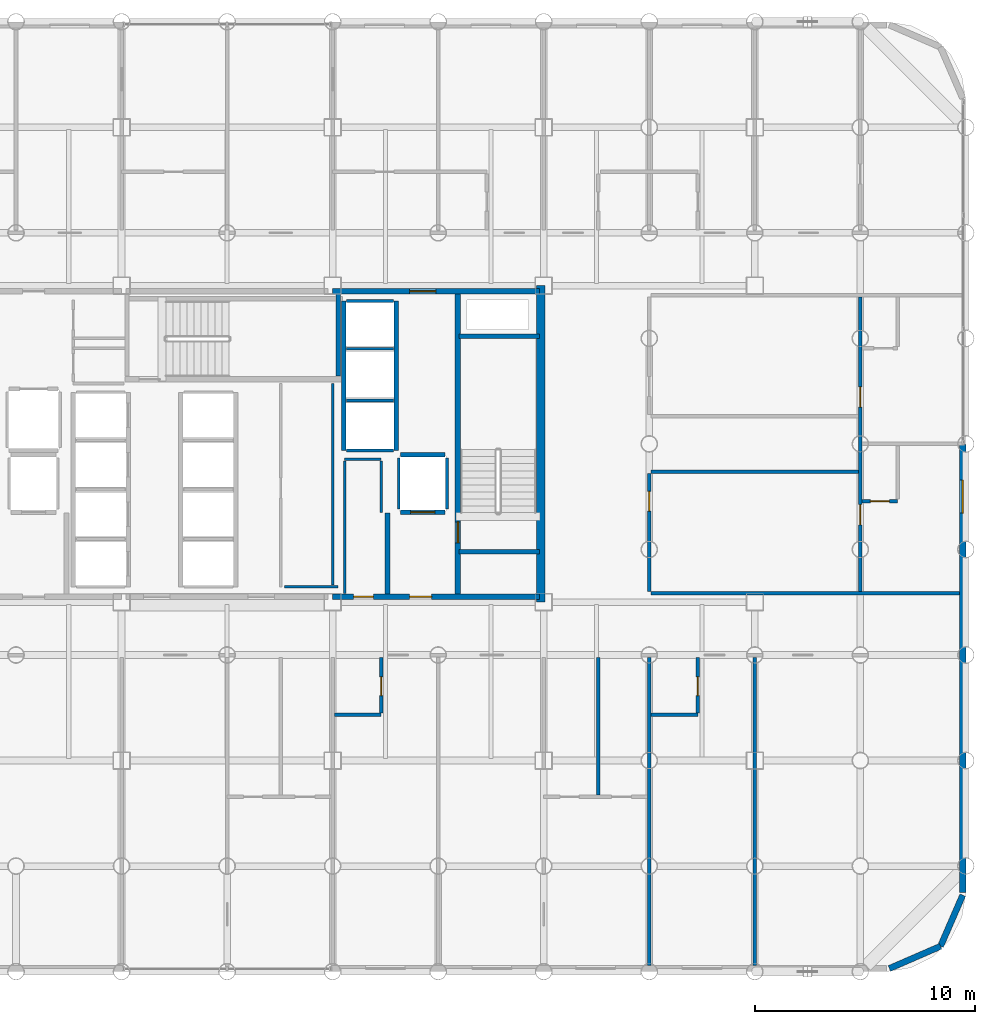
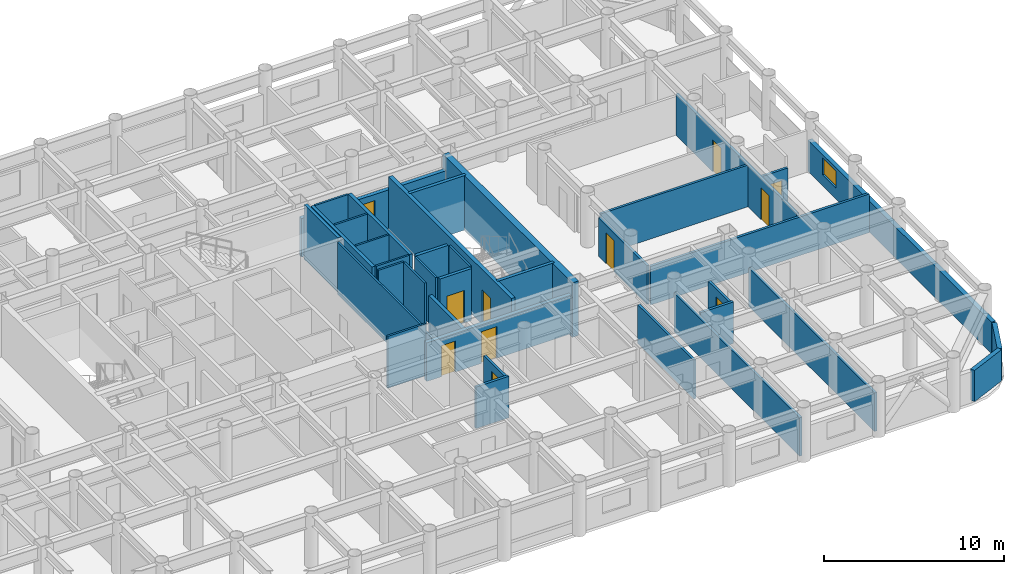
# One storey, part 17 of 20: 38 walls, 11 doors, 1 window, 12 openings.
"""IFC4 building model written with IfcOpenShell, lengths in metres."""

from ifc_helpers import new_model, si_unit, direction, frame, frame_2d, origin, place, context, subcontext, project, spatial, rectangle, extrude, material, layer, layer_set, type_object, element, fill, save


model = new_model("IFC4")

# Units and contexts
model_context = context("Model", 3, precision=1e-05, world=origin(), true_north=direction((0.0, 1.0)))
body_context = subcontext(model_context, "Body", "Model", "MODEL_VIEW")
ifc_project = project(units=[si_unit("LENGTHUNIT", "METRE"), si_unit("AREAUNIT", "SQUARE_METRE"), si_unit("VOLUMEUNIT", "CUBIC_METRE"), si_unit("PLANEANGLEUNIT", "RADIAN"), si_unit("MASSUNIT", "GRAM", prefix="KILO")], contexts=[model_context])

# Site, building, storey
site_placement = place(None, origin())
site = spatial("IfcSite", under=ifc_project, at=site_placement, CompositionType="ELEMENT")
building_placement = place(site_placement, origin())
building = spatial("IfcBuilding", under=site, at=building_placement, Name="Kallvorn Hotel Tower", CompositionType="ELEMENT")
storey_placement = place(building_placement, frame((0.0, 0.0, 74.39990234375)))
storey = spatial("IfcBuildingStorey", under=building, at=storey_placement, Name="L17", CompositionType="ELEMENT", Elevation=74.39990234375)

# Walls
ifc_material_1 = material(Name="Concrete C50/60", Category="concrete")
ifc_layer_1 = layer(ifc_material_1, 0.39990234375)
ifc_layer_set_1 = layer_set([ifc_layer_1], Name="WL_CORE_400")
wall_type_1 = type_object("IfcWallType", Name="WL_CORE_400", PredefinedType="SHEAR", material=ifc_layer_set_1)
wall_1_placement = place(storey_placement, frame((14.264892578125, -7.199951171875, -0.179931640625), z_axis=(0.0, 0.0, 1.0), x_axis=(0.0, 1.0, 0.0)))
element("IfcWall", 1, at=wall_1_placement, inside=storey, type_object=wall_type_1, Name="L17 Core East Shear Wall", PredefinedType="SHEAR", context=body_context, shape_type="SweptSolid", body=[
    extrude(rectangle(XDim=14.39990234375, YDim=0.39990234375, at=frame_2d((7.199951171875, 0.0))), origin(), (0.0, 0.0, 1.0), 3.699951171875),
])
ifc_material_2 = material(Name="Fire-rated double-layer acoustic gypsum drywall EI 60")
ifc_layer_2 = layer(ifc_material_2, 0.159912109375)
ifc_layer_set_2 = layer_set([ifc_layer_2], Name="WL_DEMISE_160")
wall_type_2 = type_object("IfcWallType", Name="WL_DEMISE_160", PredefinedType="PARTITIONING", material=ifc_layer_set_2)
wall_2_placement = place(storey_placement, frame((4.8798828125, -12.320068359375, 0.0), z_axis=(0.0, 0.0, 1.0), x_axis=(1.0, 0.0, 0.0)))
element("IfcWall", 2, at=wall_2_placement, inside=storey, type_object=wall_type_2, Name="L17 Suite 1706 Deluxe King Room Partition", PredefinedType="PARTITIONING", context=body_context, shape_type="SweptSolid", body=[
    extrude(rectangle(XDim=2.130126953125, YDim=0.159912109375, at=frame_2d((1.06494140625, 0.0))), origin(), (0.0, 0.0, 1.0), 2.820068359375),
])
wall_3_placement = place(storey_placement, frame((19.280029296875, -12.320068359375, 0.0), z_axis=(0.0, 0.0, 1.0), x_axis=(1.0, 0.0, 0.0)))
element("IfcWall", 3, at=wall_3_placement, inside=storey, type_object=wall_type_2, Name="L17 Suite 1708 Superior Twin Room Partition", PredefinedType="PARTITIONING", context=body_context, shape_type="SweptSolid", body=[
    extrude(rectangle(XDim=2.1298828125, YDim=0.159912109375, at=frame_2d((1.06494140625, 0.0))), origin(), (0.0, 0.0, 1.0), 2.820068359375),
])
wall_4_placement = place(storey_placement, frame((19.280029296875, -6.800048828125, 0.0), z_axis=(0.0, 0.0, 1.0), x_axis=(1.0, 0.0, 0.0)))
element("IfcWall", 4, at=wall_4_placement, inside=storey, type_object=wall_type_2, Name="L17 Suite 1703 E Loggia King Room Partition", PredefinedType="PARTITIONING", context=body_context, shape_type="SweptSolid", body=[
    extrude(rectangle(XDim=14.030029296875, YDim=0.159912109375, at=frame_2d((7.01513671875, 0.0))), origin(), (0.0, 0.0, 1.0), 2.6201171875),
])

# Wall, opening, door
wall_5_placement = place(storey_placement, frame((28.8798828125, -2.60009765625, 0.0), z_axis=(0.0, 0.0, 1.0), x_axis=(1.0, 0.0, 0.0)))
wall_5 = element("IfcWall", 5, at=wall_5_placement, inside=storey, type_object=wall_type_2, Name="L17 Suite 1703 E Loggia King Room Partition", PredefinedType="PARTITIONING", context=body_context, shape_type="SweptSolid", body=[
    extrude(rectangle(XDim=1.6201171875, YDim=0.159912109375, at=frame_2d((0.81005859375, 0.0))), origin(), (0.0, 0.0, 1.0), 2.820068359375),
])
opening_1_placement = place(wall_5_placement, frame((0.3798828125, 0.0, 0.0)))
opening_1 = element("IfcOpeningElement", 6, at=opening_1_placement, cuts=wall_5, Name="Opening BD-I", PredefinedType="OPENING", context=body_context, shape_type="SweptSolid", body=[
    extrude(rectangle(XDim=0.860107421875, YDim=2.10009765625, at=frame_2d((0.43017578125, 1.050048828125))), frame((0.0, 0.094970703125, 0.0), z_axis=(0.0, -1.0, 0.0), x_axis=(1.0, 0.0, 0.0)), (0.0, 0.0, 1.0), 0.18994140625),
])
ifc_material_3 = material(Name="Solid-core walnut veneer fire-rated timber door leaf", Category="wood")
door_type_1 = type_object("IfcDoorType", Name="DR_BATH_860x2100", OperationType="NOTDEFINED", PredefinedType="DOOR", material=ifc_material_3)
door_1_placement = place(opening_1_placement, origin())
door_1 = element("IfcDoor", 7, at=door_1_placement, inside=storey, type_object=door_type_1, Name="L17 Suite 1703 En-Suite Bathroom Door", OperationType="SINGLE_SWING_LEFT", OverallHeight=2.10009765625, OverallWidth=0.860107421875, PredefinedType="DOOR", context=body_context, shape_type="SweptSolid", body=[
    extrude(rectangle(XDim=0.860107421875, YDim=2.10009765625, at=frame_2d((0.43017578125, 1.050048828125))), frame((0.0, 0.02490234375, 0.0), z_axis=(0.0, -1.0, 0.0), x_axis=(1.0, 0.0, 0.0)), (0.0, 0.0, 1.0), 0.050048828125),
])
fill(opening_1, door_1)

wall_6_placement = place(storey_placement, frame((7.006591796875, -12.235107421875, 0.0), z_axis=(0.0, 0.0, 1.0), x_axis=(0.0, 1.0, 0.0)))
wall_6 = element("IfcWall", 8, at=wall_6_placement, inside=storey, type_object=wall_type_2, Name="L17 Suite 1706 Deluxe King Room Partition", PredefinedType="PARTITIONING", context=body_context, shape_type="SweptSolid", body=[
    extrude(rectangle(XDim=2.51513671875, YDim=0.159912109375, at=frame_2d((1.257568359375, 0.0))), origin(), (0.0, 0.0, 1.0), 2.6201171875),
])
opening_2_placement = place(wall_6_placement, frame((0.784912109375, 0.0, 0.0)))
opening_2 = element("IfcOpeningElement", 9, at=opening_2_placement, cuts=wall_6, Name="Opening BD-I", PredefinedType="OPENING", context=body_context, shape_type="SweptSolid", body=[
    extrude(rectangle(XDim=0.860107421875, YDim=2.10009765625, at=frame_2d((0.43017578125, 1.050048828125))), frame((0.0, 0.094970703125, 0.0), z_axis=(0.0, -1.0, 0.0), x_axis=(1.0, 0.0, 0.0)), (0.0, 0.0, 1.0), 0.18994140625),
])
door_2_placement = place(opening_2_placement, origin())
door_2 = element("IfcDoor", 10, at=door_2_placement, inside=storey, type_object=door_type_1, Name="L17 Suite 1706 En-Suite Bathroom Door", OperationType="SINGLE_SWING_RIGHT", OverallHeight=2.10009765625, OverallWidth=0.860107421875, PredefinedType="DOOR", context=body_context, shape_type="SweptSolid", body=[
    extrude(rectangle(XDim=0.860107421875, YDim=2.10009765625, at=frame_2d((0.43017578125, 1.050048828125))), frame((0.0, 0.02490234375, 0.0), z_axis=(0.0, -1.0, 0.0), x_axis=(1.0, 0.0, 0.0)), (0.0, 0.0, 1.0), 0.050048828125),
])
fill(opening_2, door_2)

# Wall
wall_7_placement = place(storey_placement, frame((19.199951171875, -23.7099609375, 0.0), z_axis=(0.0, 0.0, 1.0), x_axis=(0.0, 1.0, 0.0)))
element("IfcWall", 11, at=wall_7_placement, inside=storey, type_object=wall_type_2, Name="L17 Suite 1707 Executive Bedroom Partition", PredefinedType="PARTITIONING", context=body_context, shape_type="SweptSolid", body=[
    extrude(rectangle(XDim=13.989990234375, YDim=0.159912109375, at=frame_2d((6.9951171875, 0.0))), origin(), (0.0, 0.0, 1.0), 2.6201171875),
])

# Wall, opening, door
wall_8_placement = place(storey_placement, frame((21.409912109375, -12.235107421875, 0.0), z_axis=(0.0, 0.0, 1.0), x_axis=(0.0, 1.0, 0.0)))
wall_8 = element("IfcWall", 12, at=wall_8_placement, inside=storey, type_object=wall_type_2, Name="L17 Suite 1708 Superior Twin Room Partition", PredefinedType="PARTITIONING", context=body_context, shape_type="SweptSolid", body=[
    extrude(rectangle(XDim=2.51513671875, YDim=0.159912109375, at=frame_2d((1.257568359375, 0.0))), origin(), (0.0, 0.0, 1.0), 2.6201171875),
])
opening_3_placement = place(wall_8_placement, frame((0.784912109375, 0.0, 0.0)))
opening_3 = element("IfcOpeningElement", 13, at=opening_3_placement, cuts=wall_8, Name="Opening BD-I", PredefinedType="OPENING", context=body_context, shape_type="SweptSolid", body=[
    extrude(rectangle(XDim=0.860107421875, YDim=2.10009765625, at=frame_2d((0.43017578125, 1.050048828125))), frame((0.0, 0.094970703125, 0.0), z_axis=(0.0, -1.0, 0.0), x_axis=(1.0, 0.0, 0.0)), (0.0, 0.0, 1.0), 0.18994140625),
])
door_3_placement = place(opening_3_placement, origin())
door_3 = element("IfcDoor", 14, at=door_3_placement, inside=storey, type_object=door_type_1, Name="L17 Suite 1708 En-Suite Bathroom Door", OperationType="SINGLE_SWING_LEFT", OverallHeight=2.10009765625, OverallWidth=0.860107421875, PredefinedType="DOOR", context=body_context, shape_type="SweptSolid", body=[
    extrude(rectangle(XDim=0.860107421875, YDim=2.10009765625, at=frame_2d((0.43017578125, 1.050048828125))), frame((0.0, 0.02490234375, 0.0), z_axis=(0.0, -1.0, 0.0), x_axis=(1.0, 0.0, 0.0)), (0.0, 0.0, 1.0), 0.050048828125),
])
fill(opening_3, door_3)

# Wall
wall_9_placement = place(storey_placement, frame((24.0, -23.7099609375, 0.0), z_axis=(0.0, 0.0, 1.0), x_axis=(0.0, 1.0, 0.0)))
element("IfcWall", 15, at=wall_9_placement, inside=storey, type_object=wall_type_2, Name="L17 Suite 1708 Superior Twin Room Partition", PredefinedType="PARTITIONING", context=body_context, shape_type="SweptSolid", body=[
    extrude(rectangle(XDim=13.989990234375, YDim=0.159912109375, at=frame_2d((6.9951171875, 0.0))), origin(), (0.0, 0.0, 1.0), 2.6201171875),
])

# Wall, openings, doors
wall_10_placement = place(storey_placement, frame((28.800048828125, -6.715087890625, 0.0), z_axis=(0.0, 0.0, 1.0), x_axis=(0.0, 1.0, 0.0)))
wall_10 = element("IfcWall", 16, at=wall_10_placement, inside=storey, type_object=wall_type_2, Name="L17 Suite 1703 E Loggia King Room Partition", PredefinedType="PARTITIONING", context=body_context, shape_type="SweptSolid", body=[
    extrude(rectangle(XDim=13.388427734375, YDim=0.159912109375, at=frame_2d((6.6943359375, 0.0))), origin(), (0.0, 0.0, 1.0), 2.820068359375),
])
opening_4_placement = place(wall_10_placement, frame((3.034912109375, 0.0, 0.0)))
opening_4 = element("IfcOpeningElement", 17, at=opening_4_placement, cuts=wall_10, Name="Opening GD1", PredefinedType="OPENING", context=body_context, shape_type="SweptSolid", body=[
    extrude(rectangle(XDim=0.919921875, YDim=2.14990234375, at=frame_2d((0.4599609375, 1.074951171875))), frame((0.0, 0.094970703125, 0.0), z_axis=(0.0, -1.0, 0.0), x_axis=(1.0, 0.0, 0.0)), (0.0, 0.0, 1.0), 0.18994140625),
])
opening_5_placement = place(wall_10_placement, frame((8.385009765625, 0.0, 0.0)))
opening_5 = element("IfcOpeningElement", 18, at=opening_5_placement, cuts=wall_10, Name="Opening GD1", PredefinedType="OPENING", context=body_context, shape_type="SweptSolid", body=[
    extrude(rectangle(XDim=0.919921875, YDim=2.14990234375, at=frame_2d((0.4599609375, 1.074951171875))), frame((0.0, 0.094970703125, 0.0), z_axis=(0.0, -1.0, 0.0), x_axis=(1.0, 0.0, 0.0)), (0.0, 0.0, 1.0), 0.18994140625),
])
ifc_material_4 = material(Name="Solid-core walnut veneer fire-rated timber door leaf", Category="wood")
door_type_2 = type_object("IfcDoorType", Name="DR_GUEST_920x2150", OperationType="NOTDEFINED", PredefinedType="DOOR", material=ifc_material_4)
door_4_placement = place(opening_4_placement, origin())
door_4 = element("IfcDoor", 19, at=door_4_placement, inside=storey, type_object=door_type_2, Name="L17 Suite 1703 E Loggia King Room Door", OperationType="SINGLE_SWING_LEFT", OverallHeight=2.14990234375, OverallWidth=0.919921875, PredefinedType="DOOR", context=body_context, shape_type="SweptSolid", body=[
    extrude(rectangle(XDim=0.919921875, YDim=2.14990234375, at=frame_2d((0.4599609375, 1.074951171875))), frame((0.0, 0.02490234375, 0.0), z_axis=(0.0, -1.0, 0.0), x_axis=(1.0, 0.0, 0.0)), (0.0, 0.0, 1.0), 0.050048828125),
])
fill(opening_4, door_4)
door_5_placement = place(opening_5_placement, origin())
door_5 = element("IfcDoor", 20, at=door_5_placement, inside=storey, type_object=door_type_2, Name="L17 Suite 1704 E Andean Twin Room Door", OperationType="SINGLE_SWING_LEFT", OverallHeight=2.14990234375, OverallWidth=0.919921875, PredefinedType="DOOR", context=body_context, shape_type="SweptSolid", body=[
    extrude(rectangle(XDim=0.919921875, YDim=2.14990234375, at=frame_2d((0.4599609375, 1.074951171875))), frame((0.0, 0.02490234375, 0.0), z_axis=(0.0, -1.0, 0.0), x_axis=(1.0, 0.0, 0.0)), (0.0, 0.0, 1.0), 0.050048828125),
])
fill(opening_5, door_5)

# Walls
ifc_material_5 = material(Name="Precast basalt-clad insulated concrete wall C40/50", Category="masonry")
ifc_layer_3 = layer(ifc_material_5, 0.280029296875)
ifc_layer_set_3 = layer_set([ifc_layer_3], Name="WL_EXT_LOGGIA_280")
wall_type_3 = type_object("IfcWallType", Name="WL_EXT_LOGGIA_280", PredefinedType="SOLIDWALL", material=ifc_layer_set_3)
wall_11_placement = place(storey_placement, frame((30.120849609375, -23.85791015625, 0.0), z_axis=(0.0, 0.0, 1.0), x_axis=(0.917060872934, 0.398747232384, 0.0)))
element("IfcWall", 21, at=wall_11_placement, inside=storey, type_object=wall_type_3, Name="L17 Rounded Corner Exterior Wall SE1", PredefinedType="SOLIDWALL", context=body_context, shape_type="SweptSolid", body=[
    extrude(rectangle(XDim=2.5361328125, YDim=0.280029296875, at=frame_2d((1.26806640625, 0.0))), origin(), (0.0, 0.0, 1.0), 2.1201171875),
])
wall_12_placement = place(storey_placement, frame((32.446533203125, -22.8466796875, 0.0), z_axis=(0.0, 0.0, 1.0), x_axis=(0.398792985289, 0.917040977756, 0.0)))
element("IfcWall", 22, at=wall_12_placement, inside=storey, type_object=wall_type_3, Name="L17 Rounded Corner Exterior Wall SE2", PredefinedType="SOLIDWALL", context=body_context, shape_type="SweptSolid", body=[
    extrude(rectangle(XDim=2.536376953125, YDim=0.280029296875, at=frame_2d((1.26806640625, 0.0))), origin(), (0.0, 0.0, 1.0), 2.1201171875),
])

# Wall, opening, window
wall_13_placement = place(storey_placement, frame((33.4599609375, -20.39990234375, 0.0), z_axis=(0.0, 0.0, 1.0), x_axis=(0.0, 1.0, 0.0)))
wall_13 = element("IfcWall", 23, at=wall_13_placement, inside=storey, type_object=wall_type_3, Name="L17 Exterior Envelope Wall EW-L17-ES", PredefinedType="SOLIDWALL", context=body_context, shape_type="SweptSolid", body=[
    extrude(rectangle(XDim=20.3798828125, YDim=0.280029296875, at=frame_2d((10.18994140625, 0.0))), origin(), (0.0, 0.0, 1.0), 2.1201171875),
])
opening_6_placement = place(wall_13_placement, frame((17.25, 0.0, 0.75)))
opening_6 = element("IfcOpeningElement", 24, at=opening_6_placement, cuts=wall_13, Name="Opening W05A", PredefinedType="OPENING", context=body_context, shape_type="SweptSolid", body=[
    extrude(rectangle(XDim=1.5, YDim=1.14990234375, at=frame_2d((0.75, 0.574951171875))), frame((0.0, 0.155029296875, 0.0), z_axis=(0.0, -1.0, 0.0), x_axis=(1.0, 0.0, 0.0)), (0.0, 0.0, 1.0), 0.31005859375),
])
ifc_material_6 = material(Name="Double-glazed low-e solar-control dark glass", Category="glass")
window_type = type_object("IfcWindowType", Name="WN_HTL_1500x1150", PartitioningType="SINGLE_PANEL", PredefinedType="WINDOW", material=ifc_material_6)
window_placement = place(opening_6_placement, origin())
window = element("IfcWindow", 25, at=window_placement, inside=storey, type_object=window_type, Name="L17 Flank Wing Window 02", OverallHeight=1.14990234375, OverallWidth=1.5, PartitioningType="SINGLE_PANEL", PredefinedType="WINDOW", context=body_context, shape_type="SweptSolid", body=[
    extrude(rectangle(XDim=1.5, YDim=1.14990234375, at=frame_2d((0.75, 0.574951171875))), frame((0.0, 0.030029296875, 0.0), z_axis=(0.0, -1.0, 0.0), x_axis=(1.0, 0.0, 0.0)), (0.0, 0.0, 1.0), 0.06005859375),
])
fill(opening_6, window)

# Walls
ifc_material_7 = material(Name="Concrete C40/50", Category="concrete")
ifc_layer_4 = layer(ifc_material_7, 0.219970703125)
ifc_layer_set_4 = layer_set([ifc_layer_4], Name="WL_FFL_220")
wall_type_4 = type_object("IfcWallType", Name="WL_FFL_220", PredefinedType="SOLIDWALL", material=ifc_layer_set_4)
wall_14_placement = place(storey_placement, frame((7.300048828125, -6.820068359375, 0.0), z_axis=(0.0, 0.0, 1.0), x_axis=(0.0, 1.0, 0.0)))
element("IfcWall", 26, at=wall_14_placement, inside=storey, type_object=wall_type_4, Name="L17 Firefighting Lobby East Divider Wall", PredefinedType="SOLIDWALL", context=body_context, shape_type="SweptSolid", body=[
    extrude(rectangle(XDim=3.670166015625, YDim=0.219970703125, at=frame_2d((1.8349609375, 0.0))), origin(), (0.0, 0.0, 1.0), 2.6201171875),
])
ifc_material_8 = material(Name="Concrete C40/50", Category="concrete")
ifc_layer_5 = layer(ifc_material_8, 0.199951171875)
ifc_layer_set_5 = layer_set([ifc_layer_5], Name="WL_HOIST_200")
wall_type_5 = type_object("IfcWallType", Name="WL_HOIST_200", PredefinedType="SOLIDWALL", material=ifc_layer_set_5)
for number, where, z_axis, x_axis, name in (
    (27, (10.550048828125, -4.89990234375, -0.179931640625), (0.0, 0.0, 1.0), (1.0, 0.0, 0.0), "L17 Stair ST2 South Wall"),
    (28, (10.550048828125, 4.89990234375, -0.179931640625), (0.0, 0.0, 1.0), (1.0, 0.0, 0.0), "L17 Stair ST2 North Wall"),
):
    element("IfcWall", number, at=place(storey_placement, frame(where, z_axis=z_axis, x_axis=x_axis)), inside=storey, type_object=wall_type_5, Name=name, PredefinedType="SOLIDWALL", context=body_context, shape_type="SweptSolid", body=[
        extrude(rectangle(XDim=3.64990234375, YDim=0.199951171875, at=frame_2d((1.824951171875, 0.0))), origin(), (0.0, 0.0, 1.0), 3.699951171875),
    ])
wall_15_placement = place(storey_placement, frame((5.06005859375, 3.080078125, -0.179931640625), z_axis=(0.0, 0.0, 1.0), x_axis=(0.0, 1.0, 0.0)))
element("IfcWall", 29, at=wall_15_placement, inside=storey, type_object=wall_type_5, Name="L17 Stair ST3 East Wall", PredefinedType="SOLIDWALL", context=body_context, shape_type="SweptSolid", body=[
    extrude(rectangle(XDim=3.739990234375, YDim=0.199951171875, at=frame_2d((1.8701171875, 0.0))), origin(), (0.0, 0.0, 1.0), 3.699951171875),
])
for number, where, z_axis, x_axis, name in (
    (30, (7.699951171875, -0.300048828125, 0.0), (0.0, 0.0, 1.0), (0.0, 1.0, 0.0), "L17 Lift Bank OBS Landing Wall"),
    (31, (5.300048828125, -0.300048828125, 0.0), (0.0, 0.0, 1.0), (0.0, 1.0, 0.0), "L17 Lift Bank OBS Rear Shaft Wall"),
):
    element("IfcWall", number, at=place(storey_placement, frame(where, z_axis=z_axis, x_axis=x_axis)), inside=storey, type_object=wall_type_5, Name=name, PredefinedType="SOLIDWALL", context=body_context, shape_type="SweptSolid", body=[
        extrude(rectangle(XDim=6.800048828125, YDim=0.199951171875, at=frame_2d((3.39990234375, 0.0))), origin(), (0.0, 0.0, 1.0), 3.52001953125),
    ])

# Wall, opening, door
wall_16_placement = place(storey_placement, frame((7.8798828125, -3.10009765625, 0.0), z_axis=(0.0, 0.0, 1.0), x_axis=(1.0, 0.0, 0.0)))
wall_16 = element("IfcWall", 32, at=wall_16_placement, inside=storey, type_object=wall_type_5, Name="L17 FL-2 Landing Wall", PredefinedType="SOLIDWALL", context=body_context, shape_type="SweptSolid", body=[
    extrude(rectangle(XDim=2.0400390625, YDim=0.199951171875, at=frame_2d((1.02001953125, 0.0))), origin(), (0.0, 0.0, 1.0), 3.52001953125),
])
opening_7_placement = place(wall_16_placement, frame((0.469970703125, 0.0, 0.0)))
opening_7 = element("IfcOpeningElement", 33, at=opening_7_placement, cuts=wall_16, Name="Opening LD-FL-2", PredefinedType="OPENING", context=body_context, shape_type="SweptSolid", body=[
    extrude(rectangle(XDim=1.10009765625, YDim=2.199951171875, at=frame_2d((0.550048828125, 1.10009765625))), frame((0.0, 0.114990234375, 0.0), z_axis=(0.0, -1.0, 0.0), x_axis=(1.0, 0.0, 0.0)), (0.0, 0.0, 1.0), 0.22998046875),
])
ifc_material_9 = material(Name="Brushed stainless-steel automatic sliding lift landing door", Category="steel")
door_type_3 = type_object("IfcDoorType", Name="LD_PASS_1100x2200", OperationType="SLIDING_TO_LEFT", PredefinedType="DOOR", material=ifc_material_9)
door_6_placement = place(opening_7_placement, origin())
door_6 = element("IfcDoor", 34, at=door_6_placement, inside=storey, type_object=door_type_3, Name="L17 Lift Landing Sliding Door LD-FL-2", OperationType="SLIDING_TO_LEFT", OverallHeight=2.199951171875, OverallWidth=1.10009765625, PredefinedType="DOOR", context=body_context, shape_type="SweptSolid", body=[
    extrude(rectangle(XDim=1.10009765625, YDim=2.199951171875, at=frame_2d((0.550048828125, 1.10009765625))), frame((0.0, 0.02490234375, 0.0), z_axis=(0.0, -1.0, 0.0), x_axis=(1.0, 0.0, 0.0)), (0.0, 0.0, 1.0), 0.050048828125),
])
fill(opening_7, door_6)

# Walls
wall_17_placement = place(storey_placement, frame((7.8798828125, -0.5, 0.0), z_axis=(0.0, 0.0, 1.0), x_axis=(1.0, 0.0, 0.0)))
element("IfcWall", 35, at=wall_17_placement, inside=storey, type_object=wall_type_5, Name="L17 FL-2 Rear Shaft Wall", PredefinedType="SOLIDWALL", context=body_context, shape_type="SweptSolid", body=[
    extrude(rectangle(XDim=2.0400390625, YDim=0.199951171875, at=frame_2d((1.02001953125, 0.0))), origin(), (0.0, 0.0, 1.0), 3.52001953125),
])
ifc_material_10 = material(Name="Fire-rated double-layer acoustic gypsum drywall EI 60")
ifc_layer_6 = layer(ifc_material_10, 0.1201171875)
ifc_layer_set_6 = layer_set([ifc_layer_6], Name="WL_INT_120")
wall_type_6 = type_object("IfcWallType", Name="WL_INT_120", PredefinedType="PARTITIONING", material=ifc_layer_set_6)
for number, where, z_axis, x_axis, name in (
    (36, (5.43994140625, -0.300048828125, 0.0), (0.0, 0.0, 1.0), (1.0, 0.0, 0.0), "L17 Lift Bank OBS South Closure Wall"),
    (37, (5.43994140625, 1.97509765625, 0.0), (0.0, 0.0, 1.0), (1.0, 0.0, 0.0), "L17 OB-01 Hoistway Divider"),
    (38, (5.43994140625, 4.324951171875, 0.0), (0.0, 0.0, 1.0), (1.0, 0.0, 0.0), "L17 OB-02 Hoistway Divider"),
    (39, (5.43994140625, 6.5, 0.0), (0.0, 0.0, 1.0), (1.0, 0.0, 0.0), "L17 OB-03 Hoistway Divider"),
):
    element("IfcWall", number, at=place(storey_placement, frame(where, z_axis=z_axis, x_axis=x_axis)), inside=storey, type_object=wall_type_6, Name=name, PredefinedType="PARTITIONING", context=body_context, shape_type="SweptSolid", body=[
        extrude(rectangle(XDim=2.1201171875, YDim=0.1201171875, at=frame_2d((1.06005859375, 0.0))), origin(), (0.0, 0.0, 1.0), 3.52001953125),
    ])
for number, where, z_axis, x_axis, name in (
    (40, (7.800048828125, -2.9599609375, 0.0), (0.0, 0.0, 1.0), (0.0, 1.0, 0.0), "L17 FL-2 West Shaft Wall"),
    (41, (10.0, -2.9599609375, 0.0), (0.0, 0.0, 1.0), (0.0, 1.0, 0.0), "L17 FL-2 East Shaft Wall"),
):
    element("IfcWall", number, at=place(storey_placement, frame(where, z_axis=z_axis, x_axis=x_axis)), inside=storey, type_object=wall_type_6, Name=name, PredefinedType="PARTITIONING", context=body_context, shape_type="SweptSolid", body=[
        extrude(rectangle(XDim=2.320068359375, YDim=0.1201171875, at=frame_2d((1.16015625, 0.0))), origin(), (0.0, 0.0, 1.0), 3.52001953125),
    ])
wall_18_placement = place(storey_placement, frame((2.60009765625, -6.5, 0.0), z_axis=(0.0, 0.0, 1.0), x_axis=(1.0, 0.0, 0.0)))
element("IfcWall", 42, at=wall_18_placement, inside=storey, type_object=wall_type_6, Name="L17 East Core Consolidated Linen and Supply Store Partition", PredefinedType="PARTITIONING", context=body_context, shape_type="SweptSolid", body=[
    extrude(rectangle(XDim=2.449951171875, YDim=0.1201171875, at=frame_2d((1.22509765625, 0.0))), origin(), (0.0, 0.0, 1.0), 3.52001953125),
])
wall_19_placement = place(storey_placement, frame((5.35009765625, -0.699951171875, 0.0), z_axis=(0.0, 0.0, 1.0), x_axis=(1.0, 0.0, 0.0)))
element("IfcWall", 43, at=wall_19_placement, inside=storey, type_object=wall_type_6, Name="L17 Core Utility and Meter Room Partition", PredefinedType="PARTITIONING", context=body_context, shape_type="SweptSolid", body=[
    extrude(rectangle(XDim=1.64990234375, YDim=0.1201171875, at=frame_2d((0.824951171875, 0.0))), origin(), (0.0, 0.0, 1.0), 3.52001953125),
])
wall_20_placement = place(storey_placement, frame((4.800048828125, -6.4150390625, 0.0), z_axis=(0.0, 0.0, 1.0), x_axis=(0.0, 1.0, 0.0)))
element("IfcWall", 44, at=wall_20_placement, inside=storey, type_object=wall_type_6, Name="L17 East Core Consolidated Linen and Supply Store Partition", PredefinedType="PARTITIONING", context=body_context, shape_type="SweptSolid", body=[
    extrude(rectangle(XDim=9.1650390625, YDim=0.1201171875, at=frame_2d((4.58251953125, 0.0))), origin(), (0.0, 0.0, 1.0), 3.52001953125),
])
wall_21_placement = place(storey_placement, frame((5.35009765625, -6.800048828125, 0.0), z_axis=(0.0, 0.0, 1.0), x_axis=(0.0, 1.0, 0.0)))
element("IfcWall", 45, at=wall_21_placement, inside=storey, type_object=wall_type_6, Name="L17 Core Utility and Meter Room Partition", PredefinedType="PARTITIONING", context=body_context, shape_type="SweptSolid", body=[
    extrude(rectangle(XDim=6.01513671875, YDim=0.1201171875, at=frame_2d((3.007568359375, 0.0))), origin(), (0.0, 0.0, 1.0), 2.6201171875),
])
wall_22_placement = place(storey_placement, frame((7.006591796875, -3.110107421875, 0.0), z_axis=(0.0, 0.0, 1.0), x_axis=(0.0, 1.0, 0.0)))
element("IfcWall", 46, at=wall_22_placement, inside=storey, type_object=wall_type_6, Name="L17 Core Utility and Meter Room Partition", PredefinedType="PARTITIONING", context=body_context, shape_type="SweptSolid", body=[
    extrude(rectangle(XDim=2.3251953125, YDim=0.1201171875, at=frame_2d((1.16259765625, 0.0))), origin(), (0.0, 0.0, 1.0), 3.52001953125),
])
ifc_material_11 = material(Name="Fire-rated double-layer acoustic gypsum drywall EI 60")
ifc_layer_7 = layer(ifc_material_11, 0.14990234375)
ifc_layer_set_7 = layer_set([ifc_layer_7], Name="WL_PART_150")
wall_type_7 = type_object("IfcWallType", Name="WL_PART_150", PredefinedType="PARTITIONING", material=ifc_layer_set_7)
wall_23_placement = place(storey_placement, frame((19.280029296875, -1.260009765625, 0.0), z_axis=(0.0, 0.0, 1.0), x_axis=(1.0, 0.0, 0.0)))
element("IfcWall", 47, at=wall_23_placement, inside=storey, type_object=wall_type_7, Name="L17 L17 East Inner Club Bar Partition", PredefinedType="PARTITIONING", context=body_context, shape_type="SweptSolid", body=[
    extrude(rectangle(XDim=9.43994140625, YDim=0.14990234375, at=frame_2d((4.719970703125, 0.0))), origin(), (0.0, 0.0, 1.0), 2.820068359375),
])
wall_24_placement = place(storey_placement, frame((16.875, -15.965087890625, 0.0), z_axis=(0.0, 0.0, 1.0), x_axis=(0.0, 1.0, 0.0)))
element("IfcWall", 48, at=wall_24_placement, inside=storey, type_object=wall_type_7, Name="L17 Suite 1707 Walk-In Dressing Closet Partition", PredefinedType="PARTITIONING", context=body_context, shape_type="SweptSolid", body=[
    extrude(rectangle(XDim=6.2451171875, YDim=0.14990234375, at=frame_2d((3.12255859375, 0.0))), origin(), (0.0, 0.0, 1.0), 2.6201171875),
])

# Wall, opening, door
wall_25_placement = place(storey_placement, frame((19.199951171875, -6.715087890625, 0.0), z_axis=(0.0, 0.0, 1.0), x_axis=(0.0, 1.0, 0.0)))
wall_25 = element("IfcWall", 49, at=wall_25_placement, inside=storey, type_object=wall_type_7, Name="L17 L17 East Inner Club Bar Partition", PredefinedType="PARTITIONING", context=body_context, shape_type="SweptSolid", body=[
    extrude(rectangle(XDim=5.3701171875, YDim=0.14990234375, at=frame_2d((2.68505859375, 0.0))), origin(), (0.0, 0.0, 1.0), 2.6201171875),
])
opening_8_placement = place(wall_25_placement, frame((3.66015625, 0.0, 0.0)))
opening_8 = element("IfcOpeningElement", 50, at=opening_8_placement, cuts=wall_25, Name="Opening SVD1", PredefinedType="OPENING", context=body_context, shape_type="SweptSolid", body=[
    extrude(rectangle(XDim=0.89990234375, YDim=2.10009765625, at=frame_2d((0.449951171875, 1.050048828125))), frame((0.0, 0.08984375, 0.0), z_axis=(0.0, -1.0, 0.0), x_axis=(1.0, 0.0, 0.0)), (0.0, 0.0, 1.0), 0.179931640625),
])
ifc_material_12 = material(Name="Galvanised painted steel fire-rated door assembly", Category="steel")
door_type_4 = type_object("IfcDoorType", Name="DR_SERV_900x2100", OperationType="NOTDEFINED", PredefinedType="DOOR", material=ifc_material_12)
door_7_placement = place(opening_8_placement, origin())
door_7 = element("IfcDoor", 51, at=door_7_placement, inside=storey, type_object=door_type_4, Name="L17 L17 East Inner Club Bar Door", OperationType="SINGLE_SWING_LEFT", OverallHeight=2.10009765625, OverallWidth=0.89990234375, PredefinedType="DOOR", context=body_context, shape_type="SweptSolid", body=[
    extrude(rectangle(XDim=0.89990234375, YDim=2.10009765625, at=frame_2d((0.449951171875, 1.050048828125))), frame((0.0, 0.02490234375, 0.0), z_axis=(0.0, -1.0, 0.0), x_axis=(1.0, 0.0, 0.0)), (0.0, 0.0, 1.0), 0.050048828125),
])
fill(opening_8, door_7)

# Wall, openings, doors
ifc_material_13 = material(Name="Concrete C40/50", Category="concrete")
ifc_layer_8 = layer(ifc_material_13, 0.25)
ifc_layer_set_8 = layer_set([ifc_layer_8], Name="WL_SHAFT_250")
wall_type_8 = type_object("IfcWallType", Name="WL_SHAFT_250", PredefinedType="SOLIDWALL", material=ifc_layer_set_8)
wall_26_placement = place(storey_placement, frame((4.800048828125, -6.949951171875, 0.0), z_axis=(0.0, 0.0, 1.0), x_axis=(1.0, 0.0, 0.0)))
wall_26 = element("IfcWall", 52, at=wall_26_placement, inside=storey, type_object=wall_type_8, Name="L17 Core South-East Wall", PredefinedType="SOLIDWALL", context=body_context, shape_type="SweptSolid", body=[
    extrude(rectangle(XDim=9.39990234375, YDim=0.25, at=frame_2d((4.699951171875, 0.0))), origin(), (0.0, 0.0, 1.0), 2.6201171875),
])
opening_9_placement = place(wall_26_placement, frame((3.5, 0.0, 0.0)))
opening_9 = element("IfcOpeningElement", 53, at=opening_9_placement, cuts=wall_26, Name="Opening FD1", PredefinedType="OPENING", context=body_context, shape_type="SweptSolid", body=[
    extrude(rectangle(XDim=1.0, YDim=2.14990234375, at=frame_2d((0.5, 1.074951171875))), frame((0.0, 0.139892578125, 0.0), z_axis=(0.0, -1.0, 0.0), x_axis=(1.0, 0.0, 0.0)), (0.0, 0.0, 1.0), 0.280029296875),
])
opening_10_placement = place(wall_26_placement, frame((0.949951171875, 0.0, 0.0)))
opening_10 = element("IfcOpeningElement", 54, at=opening_10_placement, cuts=wall_26, Name="Opening SVD1", PredefinedType="OPENING", context=body_context, shape_type="SweptSolid", body=[
    extrude(rectangle(XDim=0.89990234375, YDim=2.10009765625, at=frame_2d((0.449951171875, 1.050048828125))), frame((0.0, 0.139892578125, 0.0), z_axis=(0.0, -1.0, 0.0), x_axis=(1.0, 0.0, 0.0)), (0.0, 0.0, 1.0), 0.280029296875),
])
ifc_material_14 = material(Name="Galvanised painted steel fire-rated door assembly", Category="steel")
door_type_5 = type_object("IfcDoorType", Name="DR_FFL_1000x2150", OperationType="NOTDEFINED", PredefinedType="DOOR", material=ifc_material_14)
door_8_placement = place(opening_9_placement, origin())
door_8 = element("IfcDoor", 55, at=door_8_placement, inside=storey, type_object=door_type_5, Name="L17 Firefighting Lobby East Door", OperationType="SINGLE_SWING_RIGHT", OverallHeight=2.14990234375, OverallWidth=1.0, PredefinedType="DOOR", context=body_context, shape_type="SweptSolid", body=[
    extrude(rectangle(XDim=1.0, YDim=2.14990234375, at=frame_2d((0.5, 1.074951171875))), frame((0.0, 0.02490234375, 0.0), z_axis=(0.0, -1.0, 0.0), x_axis=(1.0, 0.0, 0.0)), (0.0, 0.0, 1.0), 0.050048828125),
])
fill(opening_9, door_8)
door_9_placement = place(opening_10_placement, origin())
door_9 = element("IfcDoor", 56, at=door_9_placement, inside=storey, type_object=door_type_4, Name="L17 Core Utility and Meter Room Door", OperationType="SINGLE_SWING_LEFT", OverallHeight=2.10009765625, OverallWidth=0.89990234375, PredefinedType="DOOR", context=body_context, shape_type="SweptSolid", body=[
    extrude(rectangle(XDim=0.89990234375, YDim=2.10009765625, at=frame_2d((0.449951171875, 1.050048828125))), frame((0.0, 0.02490234375, 0.0), z_axis=(0.0, -1.0, 0.0), x_axis=(1.0, 0.0, 0.0)), (0.0, 0.0, 1.0), 0.050048828125),
])
fill(opening_10, door_9)

# Wall, opening, door
wall_27_placement = place(storey_placement, frame((4.800048828125, 6.949951171875, 0.0), z_axis=(0.0, 0.0, 1.0), x_axis=(1.0, 0.0, 0.0)))
wall_27 = element("IfcWall", 57, at=wall_27_placement, inside=storey, type_object=wall_type_8, Name="L17 Core North-East Wall", PredefinedType="SOLIDWALL", context=body_context, shape_type="SweptSolid", body=[
    extrude(rectangle(XDim=9.39990234375, YDim=0.25, at=frame_2d((4.699951171875, 0.0))), origin(), (0.0, 0.0, 1.0), 2.6201171875),
])
opening_11_placement = place(wall_27_placement, frame((3.5, 0.0, 0.0)))
opening_11 = element("IfcOpeningElement", 58, at=opening_11_placement, cuts=wall_27, Name="Opening FD2", PredefinedType="OPENING", context=body_context, shape_type="SweptSolid", body=[
    extrude(rectangle(XDim=1.199951171875, YDim=2.199951171875, at=frame_2d((0.60009765625, 1.10009765625))), frame((0.0, 0.139892578125, 0.0), z_axis=(0.0, -1.0, 0.0), x_axis=(1.0, 0.0, 0.0)), (0.0, 0.0, 1.0), 0.280029296875),
])
ifc_material_15 = material(Name="Galvanised painted steel fire-rated door assembly", Category="steel")
door_type_6 = type_object("IfcDoorType", Name="DR_LOBBY_1200x2200", OperationType="DOUBLE_DOOR_SINGLE_SWING", PredefinedType="DOOR", material=ifc_material_15)
door_10_placement = place(opening_11_placement, origin())
door_10 = element("IfcDoor", 59, at=door_10_placement, inside=storey, type_object=door_type_6, Name="L17 Observatory Shuttle Lobby Door", OperationType="DOUBLE_DOOR_SINGLE_SWING", OverallHeight=2.199951171875, OverallWidth=1.199951171875, PredefinedType="DOOR", context=body_context, shape_type="SweptSolid", body=[
    extrude(rectangle(XDim=1.199951171875, YDim=2.199951171875, at=frame_2d((0.60009765625, 1.10009765625))), frame((0.0, 0.02490234375, 0.0), z_axis=(0.0, -1.0, 0.0), x_axis=(1.0, 0.0, 0.0)), (0.0, 0.0, 1.0), 0.050048828125),
])
fill(opening_11, door_10)

wall_28_placement = place(storey_placement, frame((10.5, -6.820068359375, -0.179931640625), z_axis=(0.0, 0.0, 1.0), x_axis=(0.0, 1.0, 0.0)))
wall_28 = element("IfcWall", 60, at=wall_28_placement, inside=storey, type_object=wall_type_8, Name="L17 Stair ST2 Shaft Wall", PredefinedType="SOLIDWALL", context=body_context, shape_type="SweptSolid", body=[
    extrude(rectangle(XDim=13.64013671875, YDim=0.25, at=frame_2d((6.820068359375, 0.0))), origin(), (0.0, 0.0, 1.0), 3.699951171875),
])
opening_12_placement = place(wall_28_placement, frame((2.320068359375, 0.0, 0.179931640625)))
opening_12 = element("IfcOpeningElement", 61, at=opening_12_placement, cuts=wall_28, Name="Opening SD1", PredefinedType="OPENING", context=body_context, shape_type="SweptSolid", body=[
    extrude(rectangle(XDim=0.949951171875, YDim=2.14990234375, at=frame_2d((0.47509765625, 1.074951171875))), frame((0.0, 0.139892578125, 0.0), z_axis=(0.0, -1.0, 0.0), x_axis=(1.0, 0.0, 0.0)), (0.0, 0.0, 1.0), 0.280029296875),
])
ifc_material_16 = material(Name="Galvanised painted steel fire-rated door assembly", Category="steel")
door_type_7 = type_object("IfcDoorType", Name="DR_STAIR_950x2150", OperationType="NOTDEFINED", PredefinedType="DOOR", material=ifc_material_16)
door_11_placement = place(opening_12_placement, origin())
door_11 = element("IfcDoor", 62, at=door_11_placement, inside=storey, type_object=door_type_7, Name="L17 Exit Stair ST2 Fire Door", OperationType="SINGLE_SWING_LEFT", OverallHeight=2.14990234375, OverallWidth=0.949951171875, PredefinedType="DOOR", context=body_context, shape_type="SweptSolid", body=[
    extrude(rectangle(XDim=0.949951171875, YDim=2.14990234375, at=frame_2d((0.47509765625, 1.074951171875))), frame((0.0, 0.02490234375, 0.0), z_axis=(0.0, -1.0, 0.0), x_axis=(1.0, 0.0, 0.0)), (0.0, 0.0, 1.0), 0.050048828125),
])
fill(opening_12, door_11)

save(model, "model.ifc")
